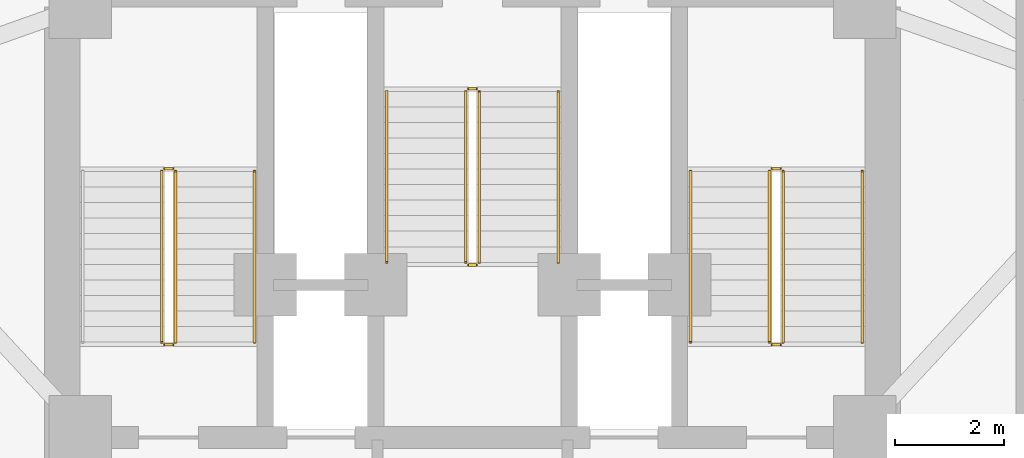
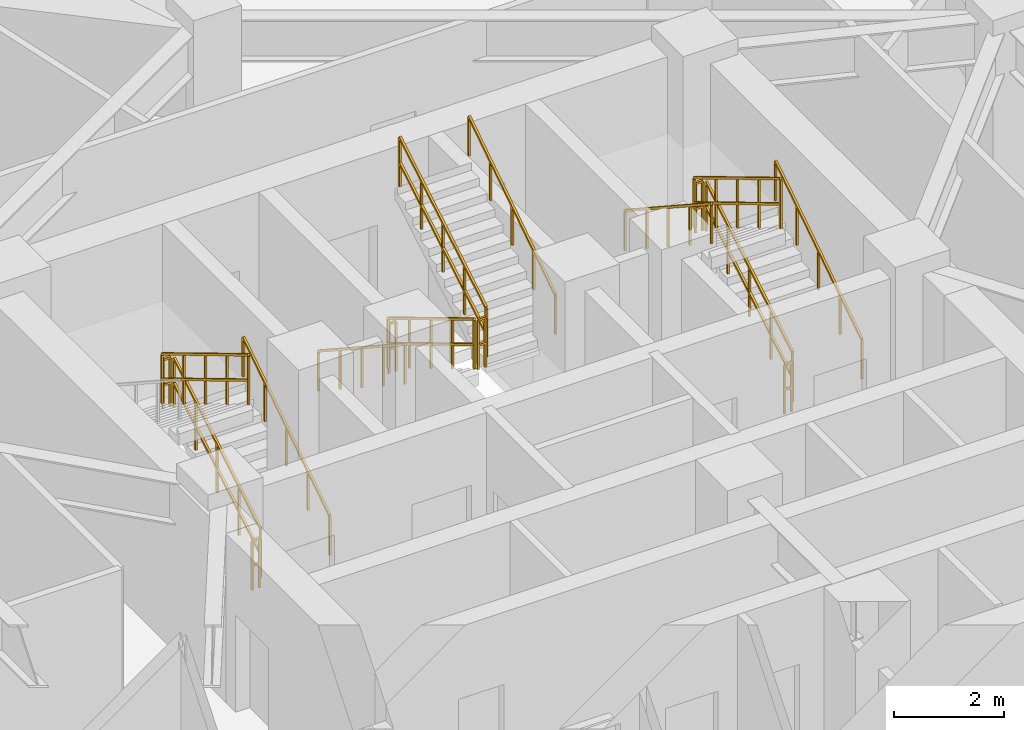
# One storey, part 13 of 14: 17 railings.
"""IFC4 building model written with IfcOpenShell, lengths in metres."""

from ifc_helpers import new_model, si_unit, direction, frame, origin, origin_2d, place, context, subcontext, project, spatial, rectangle, extrude, material, type_object, element, save


model = new_model("IFC4")

# Units and contexts
model_context = context("Model", 3, precision=1e-05, world=origin(), true_north=direction((0.0, 1.0)))
body_context = subcontext(model_context, "Body", "Model", "MODEL_VIEW")
ifc_project = project(units=[si_unit("LENGTHUNIT", "METRE"), si_unit("AREAUNIT", "SQUARE_METRE"), si_unit("VOLUMEUNIT", "CUBIC_METRE"), si_unit("PLANEANGLEUNIT", "RADIAN"), si_unit("MASSUNIT", "GRAM", prefix="KILO")], contexts=[model_context])

# Site, building, storey
site_placement = place(None, origin())
site = spatial("IfcSite", under=ifc_project, at=site_placement, CompositionType="ELEMENT")
building_placement = place(site_placement, origin())
building = spatial("IfcBuilding", under=site, at=building_placement, Name="Apsidion Concourse Tower", CompositionType="ELEMENT")
storey_placement = place(building_placement, frame((0.0, 0.0, 222.89990234375)))
storey = spatial("IfcBuildingStorey", under=building, at=storey_placement, Name="L52", CompositionType="ELEMENT", Elevation=222.89990234375)

# Railings
ifc_material = material(Name="Brushed stainless steel 316", Category="steel")
railing_type_1 = type_object("IfcRailingType", Name="RL-GUARD-1100", PredefinedType="GUARDRAIL", material=ifc_material)
railing_1_placement = place(storey_placement, frame((-5.449951171875, 3.0, 0.1708984375)))
element("IfcRailing", 1, at=railing_1_placement, inside=storey, type_object=railing_type_1, Name="L52 ST1 stair guard 1", PredefinedType="GUARDRAIL", context=body_context, shape_type="SweptSolid", body=[
    extrude(rectangle(XDim=0.048095703125, YDim=0.048095703125, at=origin_2d()), frame((0.0, 0.0, 1.09619140625), z_axis=(0.0, 0.857716804754, 0.514122439544), x_axis=(-1.0, 0.0, 0.0)), (0.0, 0.0, 1.0), 3.655029296875),
    extrude(rectangle(XDim=0.048095703125, YDim=0.048095703125, at=origin_2d()), frame((0.0, 0.0, 0.5361328125), z_axis=(0.0, 0.857716804754, 0.514122439544), x_axis=(-1.0, 0.0, 0.0)), (0.0, 0.0, 1.0), 3.655029296875),
    extrude(rectangle(XDim=0.0419921875, YDim=0.0419921875, at=origin_2d()), origin(), (0.0, 0.0, 1.0), 1.072021484375),
    extrude(rectangle(XDim=0.0419921875, YDim=0.0419921875, at=origin_2d()), frame((0.0, 0.78369140625, 0.4697265625)), (0.0, 0.0, 1.0), 1.072021484375),
    extrude(rectangle(XDim=0.0419921875, YDim=0.0419921875, at=origin_2d()), frame((0.0, 1.5673828125, 0.939453125)), (0.0, 0.0, 1.0), 1.072021484375),
    extrude(rectangle(XDim=0.0419921875, YDim=0.0419921875, at=origin_2d()), frame((0.0, 2.351318359375, 1.409423828125)), (0.0, 0.0, 1.0), 1.072021484375),
    extrude(rectangle(XDim=0.0419921875, YDim=0.0419921875, at=origin_2d()), frame((0.0, 3.135009765625, 1.879150390625)), (0.0, 0.0, 1.0), 1.072021484375),
])
railing_2_placement = place(storey_placement, frame((-5.5, 6.18505859375, 2.050048828125)))
element("IfcRailing", 2, at=railing_2_placement, inside=storey, type_object=railing_type_1, Name="L52 ST1 stair guard 2", PredefinedType="GUARDRAIL", context=body_context, shape_type="SweptSolid", body=[
    extrude(rectangle(XDim=0.048095703125, YDim=0.048095703125, at=origin_2d()), frame((0.0, 0.0, 1.09619140625), z_axis=(-1.0, 0.0, 0.0), x_axis=(0.0, -1.0, 0.0)), (0.0, 0.0, 1.0), 0.14990234375),
    extrude(rectangle(XDim=0.048095703125, YDim=0.048095703125, at=origin_2d()), frame((0.0, 0.0, 0.5361328125), z_axis=(-1.0, 0.0, 0.0), x_axis=(0.0, -1.0, 0.0)), (0.0, 0.0, 1.0), 0.14990234375),
    extrude(rectangle(XDim=0.0419921875, YDim=0.0419921875, at=origin_2d()), origin(), (0.0, 0.0, 1.0), 1.072021484375),
    extrude(rectangle(XDim=0.0419921875, YDim=0.0419921875, at=origin_2d()), frame((-0.14990234375, 0.0, 0.0)), (0.0, 0.0, 1.0), 1.072021484375),
])
railing_3_placement = place(storey_placement, frame((-5.699951171875, 6.135009765625, 2.220947265625)))
element("IfcRailing", 3, at=railing_3_placement, inside=storey, type_object=railing_type_1, Name="L52 ST1 stair guard 3", PredefinedType="GUARDRAIL", context=body_context, shape_type="SweptSolid", body=[
    extrude(rectangle(XDim=0.048095703125, YDim=0.048095703125, at=origin_2d()), frame((0.0, 0.0, 1.09619140625), z_axis=(0.0, -0.857716804754, 0.514122439544), x_axis=(1.0, 0.0, 0.0)), (0.0, 0.0, 1.0), 3.655029296875),
    extrude(rectangle(XDim=0.048095703125, YDim=0.048095703125, at=origin_2d()), frame((0.0, 0.0, 0.5361328125), z_axis=(0.0, -0.857716804754, 0.514122439544), x_axis=(1.0, 0.0, 0.0)), (0.0, 0.0, 1.0), 3.655029296875),
    extrude(rectangle(XDim=0.0419921875, YDim=0.0419921875, at=origin_2d()), origin(), (0.0, 0.0, 1.0), 1.072021484375),
    extrude(rectangle(XDim=0.0419921875, YDim=0.0419921875, at=origin_2d()), frame((0.0, -0.78369140625, 0.4697265625)), (0.0, 0.0, 1.0), 1.072021484375),
    extrude(rectangle(XDim=0.0419921875, YDim=0.0419921875, at=origin_2d()), frame((0.0, -1.5673828125, 0.939453125)), (0.0, 0.0, 1.0), 1.072021484375),
    extrude(rectangle(XDim=0.0419921875, YDim=0.0419921875, at=origin_2d()), frame((0.0, -2.351318359375, 1.409423828125)), (0.0, 0.0, 1.0), 1.072021484375),
    extrude(rectangle(XDim=0.0419921875, YDim=0.0419921875, at=origin_2d()), frame((0.0, -3.135009765625, 1.879150390625)), (0.0, 0.0, 1.0), 1.072021484375),
])
railing_4_placement = place(storey_placement, frame((-5.5, 2.949951171875, 0.0)))
element("IfcRailing", 4, at=railing_4_placement, inside=storey, type_object=railing_type_1, Name="L52 ST1 stair guard 4", PredefinedType="GUARDRAIL", context=body_context, shape_type="SweptSolid", body=[
    extrude(rectangle(XDim=0.048095703125, YDim=0.048095703125, at=origin_2d()), frame((0.0, 0.0, 1.09619140625), z_axis=(-1.0, 0.0, 0.0), x_axis=(0.0, -1.0, 0.0)), (0.0, 0.0, 1.0), 0.14990234375),
    extrude(rectangle(XDim=0.048095703125, YDim=0.048095703125, at=origin_2d()), frame((0.0, 0.0, 0.5361328125), z_axis=(-1.0, 0.0, 0.0), x_axis=(0.0, -1.0, 0.0)), (0.0, 0.0, 1.0), 0.14990234375),
    extrude(rectangle(XDim=0.0419921875, YDim=0.0419921875, at=origin_2d()), origin(), (0.0, 0.0, 1.0), 1.072021484375),
    extrude(rectangle(XDim=0.0419921875, YDim=0.0419921875, at=origin_2d()), frame((-0.14990234375, 0.0, 0.0)), (0.0, 0.0, 1.0), 1.072021484375),
])
railing_5_placement = place(storey_placement, frame((5.699951171875, 3.0, 0.1708984375)))
element("IfcRailing", 5, at=railing_5_placement, inside=storey, type_object=railing_type_1, Name="L52 ST2 stair guard 1", PredefinedType="GUARDRAIL", context=body_context, shape_type="SweptSolid", body=[
    extrude(rectangle(XDim=0.048095703125, YDim=0.048095703125, at=origin_2d()), frame((0.0, 0.0, 1.09619140625), z_axis=(0.0, 0.857716804754, 0.514122439544), x_axis=(-1.0, 0.0, 0.0)), (0.0, 0.0, 1.0), 3.655029296875),
    extrude(rectangle(XDim=0.048095703125, YDim=0.048095703125, at=origin_2d()), frame((0.0, 0.0, 0.5361328125), z_axis=(0.0, 0.857716804754, 0.514122439544), x_axis=(-1.0, 0.0, 0.0)), (0.0, 0.0, 1.0), 3.655029296875),
    extrude(rectangle(XDim=0.0419921875, YDim=0.0419921875, at=origin_2d()), origin(), (0.0, 0.0, 1.0), 1.072021484375),
    extrude(rectangle(XDim=0.0419921875, YDim=0.0419921875, at=origin_2d()), frame((0.0, 0.78369140625, 0.4697265625)), (0.0, 0.0, 1.0), 1.072021484375),
    extrude(rectangle(XDim=0.0419921875, YDim=0.0419921875, at=origin_2d()), frame((0.0, 1.5673828125, 0.939453125)), (0.0, 0.0, 1.0), 1.072021484375),
    extrude(rectangle(XDim=0.0419921875, YDim=0.0419921875, at=origin_2d()), frame((0.0, 2.351318359375, 1.409423828125)), (0.0, 0.0, 1.0), 1.072021484375),
    extrude(rectangle(XDim=0.0419921875, YDim=0.0419921875, at=origin_2d()), frame((0.0, 3.135009765625, 1.879150390625)), (0.0, 0.0, 1.0), 1.072021484375),
])
railing_6_placement = place(storey_placement, frame((5.64990234375, 6.18505859375, 2.050048828125)))
element("IfcRailing", 6, at=railing_6_placement, inside=storey, type_object=railing_type_1, Name="L52 ST2 stair guard 2", PredefinedType="GUARDRAIL", context=body_context, shape_type="SweptSolid", body=[
    extrude(rectangle(XDim=0.048095703125, YDim=0.048095703125, at=origin_2d()), frame((0.0, 0.0, 1.09619140625), z_axis=(-1.0, 0.0, 0.0), x_axis=(0.0, -1.0, 0.0)), (0.0, 0.0, 1.0), 0.14990234375),
    extrude(rectangle(XDim=0.048095703125, YDim=0.048095703125, at=origin_2d()), frame((0.0, 0.0, 0.5361328125), z_axis=(-1.0, 0.0, 0.0), x_axis=(0.0, -1.0, 0.0)), (0.0, 0.0, 1.0), 0.14990234375),
    extrude(rectangle(XDim=0.0419921875, YDim=0.0419921875, at=origin_2d()), origin(), (0.0, 0.0, 1.0), 1.072021484375),
    extrude(rectangle(XDim=0.0419921875, YDim=0.0419921875, at=origin_2d()), frame((-0.14990234375, 0.0, 0.0)), (0.0, 0.0, 1.0), 1.072021484375),
])
railing_7_placement = place(storey_placement, frame((5.449951171875, 6.135009765625, 2.220947265625)))
element("IfcRailing", 7, at=railing_7_placement, inside=storey, type_object=railing_type_1, Name="L52 ST2 stair guard 3", PredefinedType="GUARDRAIL", context=body_context, shape_type="SweptSolid", body=[
    extrude(rectangle(XDim=0.048095703125, YDim=0.048095703125, at=origin_2d()), frame((0.0, 0.0, 1.09619140625), z_axis=(0.0, -0.857716804754, 0.514122439544), x_axis=(1.0, 0.0, 0.0)), (0.0, 0.0, 1.0), 3.655029296875),
    extrude(rectangle(XDim=0.048095703125, YDim=0.048095703125, at=origin_2d()), frame((0.0, 0.0, 0.5361328125), z_axis=(0.0, -0.857716804754, 0.514122439544), x_axis=(1.0, 0.0, 0.0)), (0.0, 0.0, 1.0), 3.655029296875),
    extrude(rectangle(XDim=0.0419921875, YDim=0.0419921875, at=origin_2d()), origin(), (0.0, 0.0, 1.0), 1.072021484375),
    extrude(rectangle(XDim=0.0419921875, YDim=0.0419921875, at=origin_2d()), frame((0.0, -0.78369140625, 0.4697265625)), (0.0, 0.0, 1.0), 1.072021484375),
    extrude(rectangle(XDim=0.0419921875, YDim=0.0419921875, at=origin_2d()), frame((0.0, -1.5673828125, 0.939453125)), (0.0, 0.0, 1.0), 1.072021484375),
    extrude(rectangle(XDim=0.0419921875, YDim=0.0419921875, at=origin_2d()), frame((0.0, -2.351318359375, 1.409423828125)), (0.0, 0.0, 1.0), 1.072021484375),
    extrude(rectangle(XDim=0.0419921875, YDim=0.0419921875, at=origin_2d()), frame((0.0, -3.135009765625, 1.879150390625)), (0.0, 0.0, 1.0), 1.072021484375),
])
railing_8_placement = place(storey_placement, frame((5.64990234375, 2.949951171875, 0.0)))
element("IfcRailing", 8, at=railing_8_placement, inside=storey, type_object=railing_type_1, Name="L52 ST2 stair guard 4", PredefinedType="GUARDRAIL", context=body_context, shape_type="SweptSolid", body=[
    extrude(rectangle(XDim=0.048095703125, YDim=0.048095703125, at=origin_2d()), frame((0.0, 0.0, 1.09619140625), z_axis=(-1.0, 0.0, 0.0), x_axis=(0.0, -1.0, 0.0)), (0.0, 0.0, 1.0), 0.14990234375),
    extrude(rectangle(XDim=0.048095703125, YDim=0.048095703125, at=origin_2d()), frame((0.0, 0.0, 0.5361328125), z_axis=(-1.0, 0.0, 0.0), x_axis=(0.0, -1.0, 0.0)), (0.0, 0.0, 1.0), 0.14990234375),
    extrude(rectangle(XDim=0.0419921875, YDim=0.0419921875, at=origin_2d()), origin(), (0.0, 0.0, 1.0), 1.072021484375),
    extrude(rectangle(XDim=0.0419921875, YDim=0.0419921875, at=origin_2d()), frame((-0.14990234375, 0.0, 0.0)), (0.0, 0.0, 1.0), 1.072021484375),
])
railing_9_placement = place(storey_placement, frame((-0.125, 7.60009765625, 0.1708984375)))
element("IfcRailing", 9, at=railing_9_placement, inside=storey, type_object=railing_type_1, Name="L52 ST3 stair guard 1", PredefinedType="GUARDRAIL", context=body_context, shape_type="SweptSolid", body=[
    extrude(rectangle(XDim=0.048095703125, YDim=0.048095703125, at=origin_2d()), frame((0.0, 0.0, 1.09619140625), z_axis=(0.0, -0.857716804754, 0.514122439544), x_axis=(1.0, 0.0, 0.0)), (0.0, 0.0, 1.0), 3.655029296875),
    extrude(rectangle(XDim=0.048095703125, YDim=0.048095703125, at=origin_2d()), frame((0.0, 0.0, 0.5361328125), z_axis=(0.0, -0.857716804754, 0.514122439544), x_axis=(1.0, 0.0, 0.0)), (0.0, 0.0, 1.0), 3.655029296875),
    extrude(rectangle(XDim=0.0419921875, YDim=0.0419921875, at=origin_2d()), origin(), (0.0, 0.0, 1.0), 1.072021484375),
    extrude(rectangle(XDim=0.0419921875, YDim=0.0419921875, at=origin_2d()), frame((0.0, -0.78369140625, 0.4697265625)), (0.0, 0.0, 1.0), 1.072021484375),
    extrude(rectangle(XDim=0.0419921875, YDim=0.0419921875, at=origin_2d()), frame((0.0, -1.5673828125, 0.939453125)), (0.0, 0.0, 1.0), 1.072021484375),
    extrude(rectangle(XDim=0.0419921875, YDim=0.0419921875, at=origin_2d()), frame((0.0, -2.351318359375, 1.409423828125)), (0.0, 0.0, 1.0), 1.072021484375),
    extrude(rectangle(XDim=0.0419921875, YDim=0.0419921875, at=origin_2d()), frame((0.0, -3.135009765625, 1.879150390625)), (0.0, 0.0, 1.0), 1.072021484375),
])
railing_10_placement = place(storey_placement, frame((-0.074951171875, 4.4150390625, 2.050048828125)))
element("IfcRailing", 10, at=railing_10_placement, inside=storey, type_object=railing_type_1, Name="L52 ST3 stair guard 2", PredefinedType="GUARDRAIL", context=body_context, shape_type="SweptSolid", body=[
    extrude(rectangle(XDim=0.048095703125, YDim=0.048095703125, at=origin_2d()), frame((0.0, 0.0, 1.09619140625), z_axis=(1.0, 0.0, 0.0), x_axis=(0.0, 1.0, 0.0)), (0.0, 0.0, 1.0), 0.14990234375),
    extrude(rectangle(XDim=0.048095703125, YDim=0.048095703125, at=origin_2d()), frame((0.0, 0.0, 0.5361328125), z_axis=(1.0, 0.0, 0.0), x_axis=(0.0, 1.0, 0.0)), (0.0, 0.0, 1.0), 0.14990234375),
    extrude(rectangle(XDim=0.0419921875, YDim=0.0419921875, at=origin_2d()), origin(), (0.0, 0.0, 1.0), 1.072021484375),
    extrude(rectangle(XDim=0.0419921875, YDim=0.0419921875, at=origin_2d()), frame((0.14990234375, 0.0, 0.0)), (0.0, 0.0, 1.0), 1.072021484375),
])
railing_11_placement = place(storey_placement, frame((0.125, 4.465087890625, 2.220947265625)))
element("IfcRailing", 11, at=railing_11_placement, inside=storey, type_object=railing_type_1, Name="L52 ST3 stair guard 3", PredefinedType="GUARDRAIL", context=body_context, shape_type="SweptSolid", body=[
    extrude(rectangle(XDim=0.048095703125, YDim=0.048095703125, at=origin_2d()), frame((0.0, 0.0, 1.09619140625), z_axis=(0.0, 0.857716804754, 0.514122439544), x_axis=(-1.0, 0.0, 0.0)), (0.0, 0.0, 1.0), 3.655029296875),
    extrude(rectangle(XDim=0.048095703125, YDim=0.048095703125, at=origin_2d()), frame((0.0, 0.0, 0.5361328125), z_axis=(0.0, 0.857716804754, 0.514122439544), x_axis=(-1.0, 0.0, 0.0)), (0.0, 0.0, 1.0), 3.655029296875),
    extrude(rectangle(XDim=0.0419921875, YDim=0.0419921875, at=origin_2d()), origin(), (0.0, 0.0, 1.0), 1.072021484375),
    extrude(rectangle(XDim=0.0419921875, YDim=0.0419921875, at=origin_2d()), frame((0.0, 0.78369140625, 0.4697265625)), (0.0, 0.0, 1.0), 1.072021484375),
    extrude(rectangle(XDim=0.0419921875, YDim=0.0419921875, at=origin_2d()), frame((0.0, 1.5673828125, 0.939453125)), (0.0, 0.0, 1.0), 1.072021484375),
    extrude(rectangle(XDim=0.0419921875, YDim=0.0419921875, at=origin_2d()), frame((0.0, 2.351318359375, 1.409423828125)), (0.0, 0.0, 1.0), 1.072021484375),
    extrude(rectangle(XDim=0.0419921875, YDim=0.0419921875, at=origin_2d()), frame((0.0, 3.135009765625, 1.879150390625)), (0.0, 0.0, 1.0), 1.072021484375),
])
railing_12_placement = place(storey_placement, frame((-0.074951171875, 7.64990234375, 0.0)))
element("IfcRailing", 12, at=railing_12_placement, inside=storey, type_object=railing_type_1, Name="L52 ST3 stair guard 4", PredefinedType="GUARDRAIL", context=body_context, shape_type="SweptSolid", body=[
    extrude(rectangle(XDim=0.048095703125, YDim=0.048095703125, at=origin_2d()), frame((0.0, 0.0, 1.09619140625), z_axis=(1.0, 0.0, 0.0), x_axis=(0.0, 1.0, 0.0)), (0.0, 0.0, 1.0), 0.14990234375),
    extrude(rectangle(XDim=0.048095703125, YDim=0.048095703125, at=origin_2d()), frame((0.0, 0.0, 0.5361328125), z_axis=(1.0, 0.0, 0.0), x_axis=(0.0, 1.0, 0.0)), (0.0, 0.0, 1.0), 0.14990234375),
    extrude(rectangle(XDim=0.0419921875, YDim=0.0419921875, at=origin_2d()), origin(), (0.0, 0.0, 1.0), 1.072021484375),
    extrude(rectangle(XDim=0.0419921875, YDim=0.0419921875, at=origin_2d()), frame((0.14990234375, 0.0, 0.0)), (0.0, 0.0, 1.0), 1.072021484375),
])
railing_type_2 = type_object("IfcRailingType", Name="RL-HAND-900", PredefinedType="HANDRAIL", material=ifc_material)
for number, where, name in (
    (13, (-4.0, 3.0, 0.1708984375), "L52 ST1 stair handrail 1"),
    (14, (7.14990234375, 3.0, 0.1708984375), "L52 ST2 stair handrail 1"),
):
    element("IfcRailing", number, at=place(storey_placement, frame(where)), inside=storey, type_object=railing_type_2, Name=name, PredefinedType="HANDRAIL", context=body_context, shape_type="SweptSolid", body=[
        extrude(rectangle(XDim=0.048095703125, YDim=0.048095703125, at=origin_2d()), frame((0.0, 0.0, 0.8759765625), z_axis=(0.0, 0.836940907821, 0.547293263996), x_axis=(-1.0, 0.0, 0.0)), (0.0, 0.0, 1.0), 3.745849609375),
        extrude(rectangle(XDim=0.0419921875, YDim=0.0419921875, at=origin_2d()), origin(), (0.0, 0.0, 1.0), 0.851806640625),
        extrude(rectangle(XDim=0.0419921875, YDim=0.0419921875, at=origin_2d()), frame((0.0, 0.78369140625, 0.512451171875)), (0.0, 0.0, 1.0), 0.851806640625),
        extrude(rectangle(XDim=0.0419921875, YDim=0.0419921875, at=origin_2d()), frame((0.0, 1.5673828125, 1.02490234375)), (0.0, 0.0, 1.0), 0.851806640625),
        extrude(rectangle(XDim=0.0419921875, YDim=0.0419921875, at=origin_2d()), frame((0.0, 2.351318359375, 1.53759765625)), (0.0, 0.0, 1.0), 0.851806640625),
        extrude(rectangle(XDim=0.0419921875, YDim=0.0419921875, at=origin_2d()), frame((0.0, 3.135009765625, 2.050048828125)), (0.0, 0.0, 1.0), 0.851806640625),
    ])
for number, where, name in (
    (15, (4.0, 6.135009765625, 2.220947265625), "L52 ST2 stair handrail 2"),
    (16, (-1.574951171875, 7.60009765625, 0.1708984375), "L52 ST3 stair handrail 1"),
):
    element("IfcRailing", number, at=place(storey_placement, frame(where)), inside=storey, type_object=railing_type_2, Name=name, PredefinedType="HANDRAIL", context=body_context, shape_type="SweptSolid", body=[
        extrude(rectangle(XDim=0.048095703125, YDim=0.048095703125, at=origin_2d()), frame((0.0, 0.0, 0.8759765625), z_axis=(0.0, -0.836940907821, 0.547293263996), x_axis=(1.0, 0.0, 0.0)), (0.0, 0.0, 1.0), 3.745849609375),
        extrude(rectangle(XDim=0.0419921875, YDim=0.0419921875, at=origin_2d()), origin(), (0.0, 0.0, 1.0), 0.851806640625),
        extrude(rectangle(XDim=0.0419921875, YDim=0.0419921875, at=origin_2d()), frame((0.0, -0.78369140625, 0.512451171875)), (0.0, 0.0, 1.0), 0.851806640625),
        extrude(rectangle(XDim=0.0419921875, YDim=0.0419921875, at=origin_2d()), frame((0.0, -1.5673828125, 1.02490234375)), (0.0, 0.0, 1.0), 0.851806640625),
        extrude(rectangle(XDim=0.0419921875, YDim=0.0419921875, at=origin_2d()), frame((0.0, -2.351318359375, 1.53759765625)), (0.0, 0.0, 1.0), 0.851806640625),
        extrude(rectangle(XDim=0.0419921875, YDim=0.0419921875, at=origin_2d()), frame((0.0, -3.135009765625, 2.050048828125)), (0.0, 0.0, 1.0), 0.851806640625),
    ])
railing_13_placement = place(storey_placement, frame((1.574951171875, 4.465087890625, 2.220947265625)))
element("IfcRailing", 17, at=railing_13_placement, inside=storey, type_object=railing_type_2, Name="L52 ST3 stair handrail 2", PredefinedType="HANDRAIL", context=body_context, shape_type="SweptSolid", body=[
    extrude(rectangle(XDim=0.048095703125, YDim=0.048095703125, at=origin_2d()), frame((0.0, 0.0, 0.8759765625), z_axis=(0.0, 0.836940907821, 0.547293263996), x_axis=(-1.0, 0.0, 0.0)), (0.0, 0.0, 1.0), 3.745849609375),
    extrude(rectangle(XDim=0.0419921875, YDim=0.0419921875, at=origin_2d()), origin(), (0.0, 0.0, 1.0), 0.851806640625),
    extrude(rectangle(XDim=0.0419921875, YDim=0.0419921875, at=origin_2d()), frame((0.0, 0.78369140625, 0.512451171875)), (0.0, 0.0, 1.0), 0.851806640625),
    extrude(rectangle(XDim=0.0419921875, YDim=0.0419921875, at=origin_2d()), frame((0.0, 1.5673828125, 1.02490234375)), (0.0, 0.0, 1.0), 0.851806640625),
    extrude(rectangle(XDim=0.0419921875, YDim=0.0419921875, at=origin_2d()), frame((0.0, 2.351318359375, 1.53759765625)), (0.0, 0.0, 1.0), 0.851806640625),
    extrude(rectangle(XDim=0.0419921875, YDim=0.0419921875, at=origin_2d()), frame((0.0, 3.135009765625, 2.050048828125)), (0.0, 0.0, 1.0), 0.851806640625),
])

save(model, "model.ifc")
